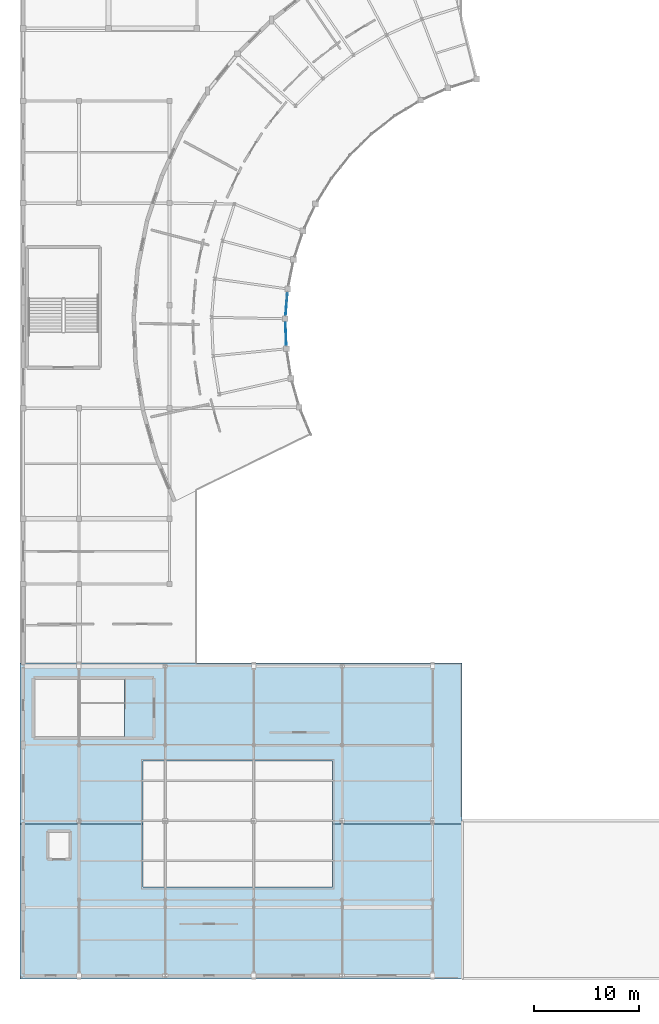
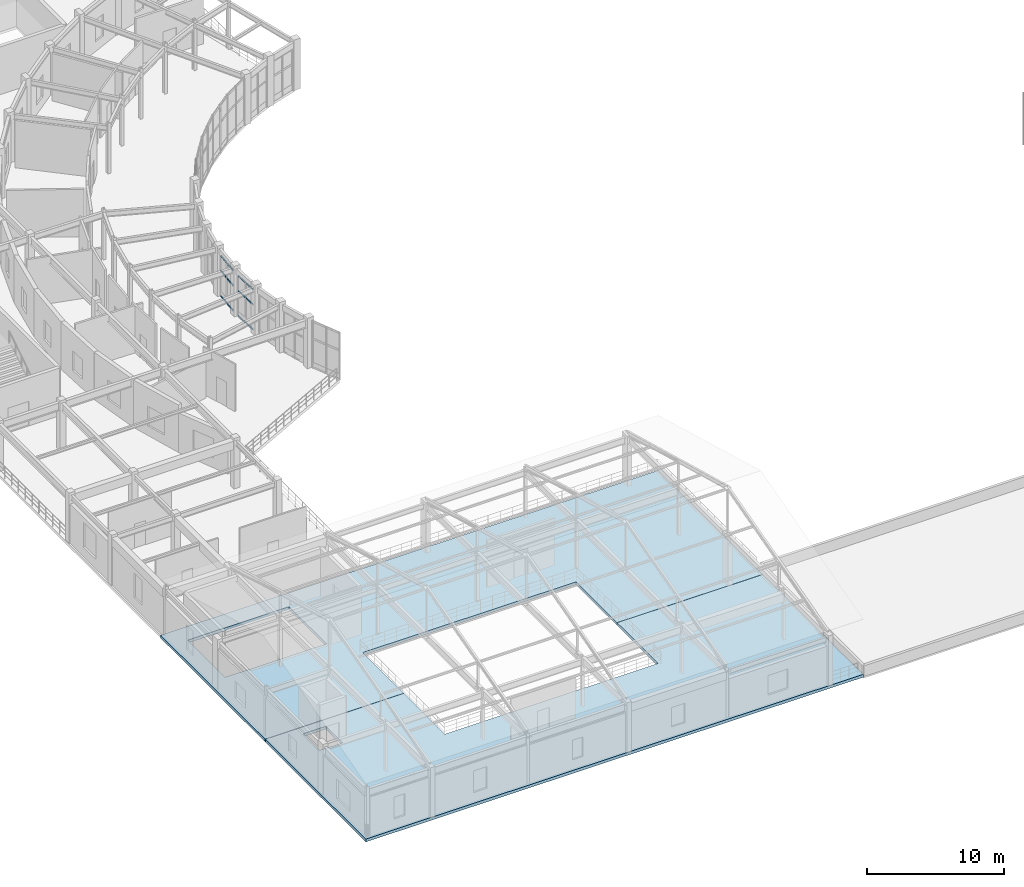
# One storey, part 71 of 112: 12 members, 2 slabs, 2 elements without a shape of their own.
"""IFC4 building model written with IfcOpenShell, lengths in metres."""

import ifcopenshell
import ifcopenshell.guid

model = None  # the IFC model being written
_history = None  # IfcOwnerHistory: only IFC2X3 demands one
_inside = {}  # id of a spatial element -> (the spatial element, [elements in it])
_under = {}  # id of a project, library or spatial element -> (it, [spatial elements below it])
_declared = {}  # id of a project -> (the project, [libraries it declares])
_typed = {}  # id of a type object -> (the type object, [elements of that type])
_made_of = {}  # id of a material, layer set ... -> (it, [elements and type objects made of it])


def new_model(schema):
    """Start an empty IFC model of exactly this schema.

    Asked for "IFC4X3", IfcOpenShell would pick the latest addendum, in which some entities
    have other attributes; the version numbers below select the first issue.
    IFC2X3 requires an IfcOwnerHistory on every rooted entity: one is made here for all.
    """
    global model, _history
    if schema == "IFC4X3":
        model = ifcopenshell.file(schema_version=(4, 3, 0, 0))
    else:
        model = ifcopenshell.file(schema=schema)
    _inside.clear()
    _under.clear()
    _declared.clear()
    _typed.clear()
    _made_of.clear()
    _history = None
    if model.schema == "IFC2X3":
        org = make("IfcOrganization", Name="unknown")
        user = make(
            "IfcPersonAndOrganization",
            ThePerson=make("IfcPerson", FamilyName="unknown"),
            TheOrganization=org,
        )
        app = make(
            "IfcApplication",
            ApplicationDeveloper=org,
            Version="unknown",
            ApplicationFullName="unknown",
            ApplicationIdentifier="unknown",
        )
        _history = make(
            "IfcOwnerHistory",
            OwningUser=user,
            OwningApplication=app,
            ChangeAction="ADDED",
            CreationDate=0,
        )
    return model


def make(cls, **values):
    """One entity of the class cls with the attributes given. An attribute that is None is left unset."""
    return model.create_entity(
        cls, **{name: value for name, value in values.items() if value is not None}
    )


def rooted(cls, **values):
    """An entity with a GlobalId (a new one), such as an element, a storey or a relation."""
    return make(cls, GlobalId=ifcopenshell.guid.new(), OwnerHistory=_history, **values)


def si_unit(unit_type, name, prefix=None):
    """IfcSIUnit, for example si_unit("LENGTHUNIT", "METRE", prefix="MILLI")."""
    return make("IfcSIUnit", UnitType=unit_type, Prefix=prefix, Name=name)


def assignment(units):
    """IfcUnitAssignment: the units of a project."""
    return None if units is None else make("IfcUnitAssignment", Units=units)


def point(xyz):
    """IfcCartesianPoint."""
    return None if xyz is None else make("IfcCartesianPoint", Coordinates=xyz)


def direction(xyz):
    """IfcDirection."""
    return None if xyz is None else make("IfcDirection", DirectionRatios=xyz)


def frame(location, z_axis=None, x_axis=None):
    """IfcAxis2Placement3D, a coordinate frame: its origin and axes. An axis left out is left unset."""
    return make(
        "IfcAxis2Placement3D",
        Location=point(location),
        Axis=direction(z_axis),
        RefDirection=direction(x_axis),
    )


def frame_2d(location, x_axis=None):
    """IfcAxis2Placement2D, a coordinate frame in the plane: its origin and x axis."""
    return make(
        "IfcAxis2Placement2D", Location=point(location), RefDirection=direction(x_axis)
    )


def origin():
    """The frame at (0, 0, 0) with its axes left unset."""
    return frame((0.0, 0.0, 0.0))


def origin_2d():
    """The frame at (0, 0) in the plane with its x axis left unset."""
    return frame_2d((0.0, 0.0))


def place(relative_to, where):
    """IfcLocalPlacement: puts the frame where relative to a parent placement (None: the world)."""
    return make(
        "IfcLocalPlacement", PlacementRelTo=relative_to, RelativePlacement=where
    )


def context(
    kind, dimensions, precision=None, world=None, true_north=None, identifier=None
):
    """IfcGeometricRepresentationContext, for example the 3D "Model" context."""
    return make(
        "IfcGeometricRepresentationContext",
        ContextIdentifier=identifier,
        ContextType=kind,
        CoordinateSpaceDimension=dimensions,
        Precision=precision,
        WorldCoordinateSystem=world,
        TrueNorth=true_north,
    )


def subcontext(parent, identifier, kind, view, scale=None):
    """IfcGeometricRepresentationSubContext, for example "Body" below "Model"."""
    return make(
        "IfcGeometricRepresentationSubContext",
        ContextIdentifier=identifier,
        ContextType=kind,
        ParentContext=parent,
        TargetScale=scale,
        TargetView=view,
    )


def project(units=None, contexts=None):
    """IfcProject with its units and contexts."""
    return rooted(
        "IfcProject",
        Name="project",
        RepresentationContexts=contexts,
        UnitsInContext=assignment(units),
    )


def spatial(cls, under=None, at=None, **own):
    """A site, building, storey or space (cls), placed at a placement, below another one or the project."""
    s = rooted(cls, ObjectPlacement=at, **own)
    if under is not None:
        _under.setdefault(under.id(), (under, []))[1].append(s)
    return s


def polyline(points):
    """IfcPolyline through the points."""
    return make("IfcPolyline", Points=[point(p) for p in points])


def profile(cls, at=None, kind="AREA", **sizes):
    """A parametric profile (cls). Its sizes go by their IFC names, for example OverallWidth=200.0."""
    return make(cls, ProfileType=kind, Position=at, **sizes)


def rectangle(**sizes):
    """IfcRectangleProfileDef."""
    return profile("IfcRectangleProfileDef", **sizes)


def outline(outer, holes=None, kind="AREA"):
    """IfcArbitraryClosedProfileDef: a profile drawn as a closed curve; with holes, ...WithVoids."""
    if holes is None:
        return make("IfcArbitraryClosedProfileDef", ProfileType=kind, OuterCurve=outer)
    return make(
        "IfcArbitraryProfileDefWithVoids",
        ProfileType=kind,
        OuterCurve=outer,
        InnerCurves=holes,
    )


def extrude(swept, where, along, depth):
    """IfcExtrudedAreaSolid: the profile swept, set in the frame where, extruded along a direction by depth."""
    return make(
        "IfcExtrudedAreaSolid",
        SweptArea=swept,
        Position=where,
        ExtrudedDirection=direction(along),
        Depth=depth,
    )


def shape(context_of_items, identifier, shape_type, items):
    """IfcShapeRepresentation: the items that make up one representation, for example the "Body"."""
    return make(
        "IfcShapeRepresentation",
        ContextOfItems=context_of_items,
        RepresentationIdentifier=identifier,
        RepresentationType=shape_type,
        Items=items,
    )


def material(Name=None, Category=None):
    """IfcMaterial."""
    return make("IfcMaterial", Name=Name, Category=Category)


def layer(
    of_material, thickness, ventilated=None, Name=None, Category=None, Priority=None
):
    """IfcMaterialLayer: one layer of a wall or slab, of a material (None: an air gap)."""
    return make(
        "IfcMaterialLayer",
        Material=of_material,
        LayerThickness=thickness,
        IsVentilated=ventilated,
        Name=Name,
        Category=Category,
        Priority=Priority,
    )


def layer_set(layers, Name=None):
    """IfcMaterialLayerSet."""
    return make("IfcMaterialLayerSet", MaterialLayers=layers, LayerSetName=Name)


def material_profile(
    of_material, cross_section, Name=None, Category=None, Priority=None
):
    """IfcMaterialProfile: a cross section and its material."""
    return make(
        "IfcMaterialProfile",
        Name=Name,
        Material=of_material,
        Profile=cross_section,
        Priority=Priority,
        Category=Category,
    )


def profile_set(profiles, Name=None, composite=None):
    """IfcMaterialProfileSet."""
    return make(
        "IfcMaterialProfileSet",
        Name=Name,
        MaterialProfiles=profiles,
        CompositeProfile=composite,
    )


def made_of(thing, what):
    """Note that an element or type object is made of a material, layer set ...; save() writes the relation."""
    if what is not None:
        _made_of.setdefault(what.id(), (what, []))[1].append(thing)
    return thing


def type_object(cls, material=None, **own):
    """A type object (cls), such as IfcWallType, which elements share."""
    return made_of(rooted(cls, **own), material)


def element(
    cls,
    number,
    at=None,
    inside=None,
    cuts=None,
    type_object=None,
    material=None,
    context=None,
    identifier="Body",
    shape_type=None,
    held_by="IfcProductDefinitionShape",
    body=None,
    shapes=None,
    **own,
):
    """One element of the class cls, such as IfcWall. Its Tag is "e" and its number.

    at: its placement. inside: the storey or other place that contains it. cuts: it is an
    opening in that element (IfcRelVoidsElement). A single representation is given by context,
    identifier, shape_type and body (its items); several are given by shapes. held_by: the class
    of the entity that holds the representations. save() writes the other relations.
    """
    e = rooted(cls, Tag="e%d" % number, ObjectPlacement=at, **own)
    if body is not None:
        shapes = [shape(context, identifier, shape_type, body)]
    if shapes is not None:
        e.Representation = make(held_by, Representations=shapes)
    if inside is not None:
        _inside.setdefault(inside.id(), (inside, []))[1].append(e)
    if cuts is not None:
        rooted(
            "IfcRelVoidsElement", RelatingBuildingElement=cuts, RelatedOpeningElement=e
        )
    if type_object is not None:
        _typed.setdefault(type_object.id(), (type_object, []))[1].append(e)
    return made_of(e, material)


def aggregate(whole, parts):
    """IfcRelAggregates: a whole, such as a stair, and the parts it consists of."""
    return rooted("IfcRelAggregates", RelatingObject=whole, RelatedObjects=parts)


def save(model, path):
    """Write the relations noted so far, then the file.

    IfcRelAggregates (storeys below a building ...), IfcRelContainedInSpatialStructure (elements
    in a storey), IfcRelDefinesByType, IfcRelAssociatesMaterial and IfcRelDeclares: one each for
    every whole, place, type object, material and project.
    """
    for whole, parts in _under.values():
        aggregate(whole, parts)
    for where, things in _inside.values():
        rooted(
            "IfcRelContainedInSpatialStructure",
            RelatedElements=things,
            RelatingStructure=where,
        )
    for kind, things in _typed.values():
        rooted("IfcRelDefinesByType", RelatedObjects=things, RelatingType=kind)
    for what, things in _made_of.values():
        rooted("IfcRelAssociatesMaterial", RelatedObjects=things, RelatingMaterial=what)
    for by, libraries in _declared.values():
        rooted("IfcRelDeclares", RelatingContext=by, RelatedDefinitions=libraries)
    model.write(path)


model = new_model("IFC4")

# Units and contexts
model_context = context("Model", 3, precision=1e-05, world=origin(), true_north=direction((0.0, 1.0)))
body_context = subcontext(model_context, "Body", "Model", "MODEL_VIEW")
ifc_project = project(units=[si_unit("LENGTHUNIT", "METRE"), si_unit("AREAUNIT", "SQUARE_METRE"), si_unit("VOLUMEUNIT", "CUBIC_METRE"), si_unit("PLANEANGLEUNIT", "RADIAN"), si_unit("MASSUNIT", "GRAM", prefix="KILO")], contexts=[model_context])

# Site, building, storey
site_placement = place(None, origin())
site = spatial("IfcSite", under=ifc_project, at=site_placement, CompositionType="ELEMENT")
building_placement = place(site_placement, origin())
building = spatial("IfcBuilding", under=site, at=building_placement, Name="Cinderbank Siding Concert Hall", CompositionType="ELEMENT")
storey_placement = place(building_placement, frame((0.0, 0.0, 10.199951171875)))
storey = spatial("IfcBuildingStorey", under=building, at=storey_placement, Name="L03", CompositionType="ELEMENT", Elevation=10.199951171875)

# Curtain wall, members
ifc_material_1 = material(Name="Anodised aluminium alloy 6063-T6", Category="aluminium")
curtain_wall_type_1 = type_object("IfcCurtainWallType", Name="CW-14 Unitised Acoustic Curtain Wall 4200x3800", PredefinedType="NOTDEFINED", material=ifc_material_1)
curtain_wall_1_placement = place(storey_placement, origin())
curtain_wall_1 = element("IfcCurtainWall", 1, at=curtain_wall_1_placement, inside=storey, type_object=curtain_wall_type_1, Name="L03 Curtain Wall CW-14 #134", PredefinedType="NOTDEFINED")
ifc_material_profile_1 = material_profile(ifc_material_1, rectangle(XDim=0.06005859375, YDim=0.1201171875, at=origin_2d()), Name="ALU-TRAN-60x120", Category="LoadBearing")
ifc_profile_set_1 = profile_set([ifc_material_profile_1], Name="Anodised aluminium alloy 6063-T6")
member_type_1 = type_object("IfcMemberType", Name="CW-TR1 Transom 60x120", PredefinedType="USERDEFINED", material=ifc_profile_set_1)
member_1_placement = place(storey_placement, frame((32.0205078125, 68.108642578125, 0.06005859375), z_axis=(0.038317703732, -0.999265607124, 0.0), x_axis=(0.999265607124, 0.038317703732, 0.0)))
member_1 = element("IfcMember", 2, at=member_1_placement, type_object=member_type_1, Name="CW-L03-134 Transom 0-0", ObjectType="TRANSOM", PredefinedType="USERDEFINED", context=body_context, shape_type="SweptSolid", body=[
    extrude(rectangle(XDim=0.06005859375, YDim=0.1201171875, at=origin_2d()), origin(), (0.0, 0.0, 1.0), 0.974853515625),
])
member_2_placement = place(storey_placement, frame((32.0205078125, 68.108642578125, 2.29833984375), z_axis=(0.038317703732, -0.999265607124, 0.0), x_axis=(0.999265607124, 0.038317703732, 0.0)))
member_2 = element("IfcMember", 3, at=member_2_placement, type_object=member_type_1, Name="CW-L03-134 Transom 0-1", ObjectType="TRANSOM", PredefinedType="USERDEFINED", context=body_context, shape_type="SweptSolid", body=[
    extrude(rectangle(XDim=0.06005859375, YDim=0.1201171875, at=origin_2d()), origin(), (0.0, 0.0, 1.0), 0.974853515625),
])
member_3_placement = place(storey_placement, frame((32.0205078125, 68.108642578125, 3.64697265625), z_axis=(0.038317703732, -0.999265607124, 0.0), x_axis=(0.999265607124, 0.038317703732, 0.0)))
member_3 = element("IfcMember", 4, at=member_3_placement, type_object=member_type_1, Name="CW-L03-134 Transom 0-2", ObjectType="TRANSOM", PredefinedType="USERDEFINED", context=body_context, shape_type="SweptSolid", body=[
    extrude(rectangle(XDim=0.06005859375, YDim=0.1201171875, at=origin_2d()), origin(), (0.0, 0.0, 1.0), 0.974853515625),
])
member_4_placement = place(storey_placement, frame((32.06201171875, 67.026123046875, 0.06005859375), z_axis=(0.038317703732, -0.999265607124, 0.0), x_axis=(0.999265607124, 0.038317703732, 0.0)))
member_4 = element("IfcMember", 5, at=member_4_placement, type_object=member_type_1, Name="CW-L03-134 Transom 1-0", ObjectType="TRANSOM", PredefinedType="USERDEFINED", context=body_context, shape_type="SweptSolid", body=[
    extrude(rectangle(XDim=0.06005859375, YDim=0.1201171875, at=origin_2d()), origin(), (0.0, 0.0, 1.0), 0.974853515625),
])
member_5_placement = place(storey_placement, frame((32.06201171875, 67.026123046875, 2.29833984375), z_axis=(0.038317703732, -0.999265607124, 0.0), x_axis=(0.999265607124, 0.038317703732, 0.0)))
member_5 = element("IfcMember", 6, at=member_5_placement, type_object=member_type_1, Name="CW-L03-134 Transom 1-1", ObjectType="TRANSOM", PredefinedType="USERDEFINED", context=body_context, shape_type="SweptSolid", body=[
    extrude(rectangle(XDim=0.06005859375, YDim=0.1201171875, at=origin_2d()), origin(), (0.0, 0.0, 1.0), 0.974853515625),
])
member_6_placement = place(storey_placement, frame((32.06201171875, 67.026123046875, 3.64697265625), z_axis=(0.038317703732, -0.999265607124, 0.0), x_axis=(0.999265607124, 0.038317703732, 0.0)))
member_6 = element("IfcMember", 7, at=member_6_placement, type_object=member_type_1, Name="CW-L03-134 Transom 1-2", ObjectType="TRANSOM", PredefinedType="USERDEFINED", context=body_context, shape_type="SweptSolid", body=[
    extrude(rectangle(XDim=0.06005859375, YDim=0.1201171875, at=origin_2d()), origin(), (0.0, 0.0, 1.0), 0.974853515625),
])
aggregate(curtain_wall_1, [member_1, member_2, member_3, member_4, member_5, member_6])

curtain_wall_type_2 = type_object("IfcCurtainWallType", Name="CW-13 Unitised Acoustic Curtain Wall 4200x4400", PredefinedType="NOTDEFINED", material=ifc_material_1)
curtain_wall_2_placement = place(storey_placement, origin())
curtain_wall_2 = element("IfcCurtainWall", 8, at=curtain_wall_2_placement, inside=storey, type_object=curtain_wall_type_2, Name="L03 Curtain Wall CW-13 #133", PredefinedType="NOTDEFINED")
ifc_material_profile_2 = material_profile(ifc_material_1, rectangle(XDim=0.06494140625, YDim=0.14990234375, at=origin_2d()), Name="ALU-TRAN-65x150", Category="LoadBearing")
ifc_profile_set_2 = profile_set([ifc_material_profile_2], Name="Anodised aluminium alloy 6063-T6")
member_type_2 = type_object("IfcMemberType", Name="CW-TR2 Transom 65x150", PredefinedType="USERDEFINED", material=ifc_profile_set_2)
member_7_placement = place(storey_placement, frame((32.201904296875, 70.947265625, 0.06005859375), z_axis=(-0.080123382349, -0.996784953539, 0.0), x_axis=(0.996784953539, -0.080123382349, 0.0)))
member_7 = element("IfcMember", 9, at=member_7_placement, type_object=member_type_2, Name="CW-L03-133 Transom 0-0", ObjectType="TRANSOM", PredefinedType="USERDEFINED", context=body_context, shape_type="SweptSolid", body=[
    extrude(rectangle(XDim=0.06494140625, YDim=0.14990234375, at=origin_2d()), origin(), (0.0, 0.0, 1.0), 0.97509765625),
])
member_8_placement = place(storey_placement, frame((32.201904296875, 70.947265625, 2.29833984375), z_axis=(-0.080123382349, -0.996784953539, 0.0), x_axis=(0.996784953539, -0.080123382349, 0.0)))
member_8 = element("IfcMember", 10, at=member_8_placement, type_object=member_type_2, Name="CW-L03-133 Transom 0-1", ObjectType="TRANSOM", PredefinedType="USERDEFINED", context=body_context, shape_type="SweptSolid", body=[
    extrude(rectangle(XDim=0.06494140625, YDim=0.14990234375, at=origin_2d()), origin(), (0.0, 0.0, 1.0), 0.97509765625),
])
member_9_placement = place(storey_placement, frame((32.201904296875, 70.947265625, 3.64697265625), z_axis=(-0.080123382349, -0.996784953539, 0.0), x_axis=(0.996784953539, -0.080123382349, 0.0)))
member_9 = element("IfcMember", 11, at=member_9_placement, type_object=member_type_2, Name="CW-L03-133 Transom 0-2", ObjectType="TRANSOM", PredefinedType="USERDEFINED", context=body_context, shape_type="SweptSolid", body=[
    extrude(rectangle(XDim=0.06494140625, YDim=0.14990234375, at=origin_2d()), origin(), (0.0, 0.0, 1.0), 0.97509765625),
])
member_10_placement = place(storey_placement, frame((32.114990234375, 69.867431640625, 0.06005859375), z_axis=(-0.080123382349, -0.996784953539, 0.0), x_axis=(0.996784953539, -0.080123382349, 0.0)))
member_10 = element("IfcMember", 12, at=member_10_placement, type_object=member_type_2, Name="CW-L03-133 Transom 1-0", ObjectType="TRANSOM", PredefinedType="USERDEFINED", context=body_context, shape_type="SweptSolid", body=[
    extrude(rectangle(XDim=0.06494140625, YDim=0.14990234375, at=origin_2d()), origin(), (0.0, 0.0, 1.0), 0.97509765625),
])
member_11_placement = place(storey_placement, frame((32.114990234375, 69.867431640625, 2.29833984375), z_axis=(-0.080123382349, -0.996784953539, 0.0), x_axis=(0.996784953539, -0.080123382349, 0.0)))
member_11 = element("IfcMember", 13, at=member_11_placement, type_object=member_type_2, Name="CW-L03-133 Transom 1-1", ObjectType="TRANSOM", PredefinedType="USERDEFINED", context=body_context, shape_type="SweptSolid", body=[
    extrude(rectangle(XDim=0.06494140625, YDim=0.14990234375, at=origin_2d()), origin(), (0.0, 0.0, 1.0), 0.97509765625),
])
member_12_placement = place(storey_placement, frame((32.114990234375, 69.867431640625, 3.64697265625), z_axis=(-0.080123382349, -0.996784953539, 0.0), x_axis=(0.996784953539, -0.080123382349, 0.0)))
member_12 = element("IfcMember", 14, at=member_12_placement, type_object=member_type_2, Name="CW-L03-133 Transom 1-2", ObjectType="TRANSOM", PredefinedType="USERDEFINED", context=body_context, shape_type="SweptSolid", body=[
    extrude(rectangle(XDim=0.06494140625, YDim=0.14990234375, at=origin_2d()), origin(), (0.0, 0.0, 1.0), 0.97509765625),
])
aggregate(curtain_wall_2, [member_7, member_8, member_9, member_10, member_11, member_12])

# Slabs
ifc_material_2 = material(Name="Reinforced concrete AS 3600 N50 (50 MPa)", Category="concrete")
ifc_layer = layer(ifc_material_2, 0.260009765625)
ifc_layer_set = layer_set([ifc_layer], Name="Reinforced concrete AS 3600 N50 (50 MPa)")
slab_type = type_object("IfcSlabType", Name="SL-03 Slab 260mm", PredefinedType="FLOOR", material=ifc_layer_set)
slab_1_placement = place(storey_placement, frame((0.0, 0.0, -0.260009765625)))
element("IfcSlab", 15, at=slab_1_placement, inside=storey, type_object=slab_type, Name="L03 Chamber Acoustic Gallery North", PredefinedType="FLOOR", context=body_context, shape_type="SweptSolid", body=[
    extrude(outline(polyline([(48.800048828125, 20.506103515625), (36.5, 20.506103515625), (36.5, 26.5), (18.5, 26.5), (18.5, 20.506103515625), (6.800048828125, 20.506103515625), (6.800048828125, 35.800048828125), (48.800048828125, 35.800048828125), (48.800048828125, 20.506103515625)]), holes=[polyline([(16.75, 34.260009765625), (8.199951171875, 34.260009765625), (8.199951171875, 28.800048828125), (16.75, 28.800048828125), (16.75, 34.260009765625)])]), origin(), (0.0, 0.0, 1.0), 0.260009765625),
])
slab_2_placement = place(storey_placement, frame((0.0, 0.0, -0.260009765625)))
element("IfcSlab", 16, at=slab_2_placement, inside=storey, type_object=slab_type, Name="L03 Chamber Acoustic Gallery South", PredefinedType="FLOOR", context=body_context, shape_type="SweptSolid", body=[
    extrude(outline(polyline([(48.800048828125, 5.800048828125), (6.800048828125, 5.800048828125), (6.800048828125, 20.493896484375), (18.5, 20.493896484375), (18.5, 14.5), (36.5, 14.5), (36.5, 20.493896484375), (48.800048828125, 20.493896484375), (48.800048828125, 5.800048828125)]), holes=[polyline([(9.5400390625, 17.2900390625), (11.4599609375, 17.2900390625), (11.4599609375, 19.7099609375), (9.5400390625, 19.7099609375), (9.5400390625, 17.2900390625)])]), origin(), (0.0, 0.0, 1.0), 0.260009765625),
])

save(model, "model.ifc")
